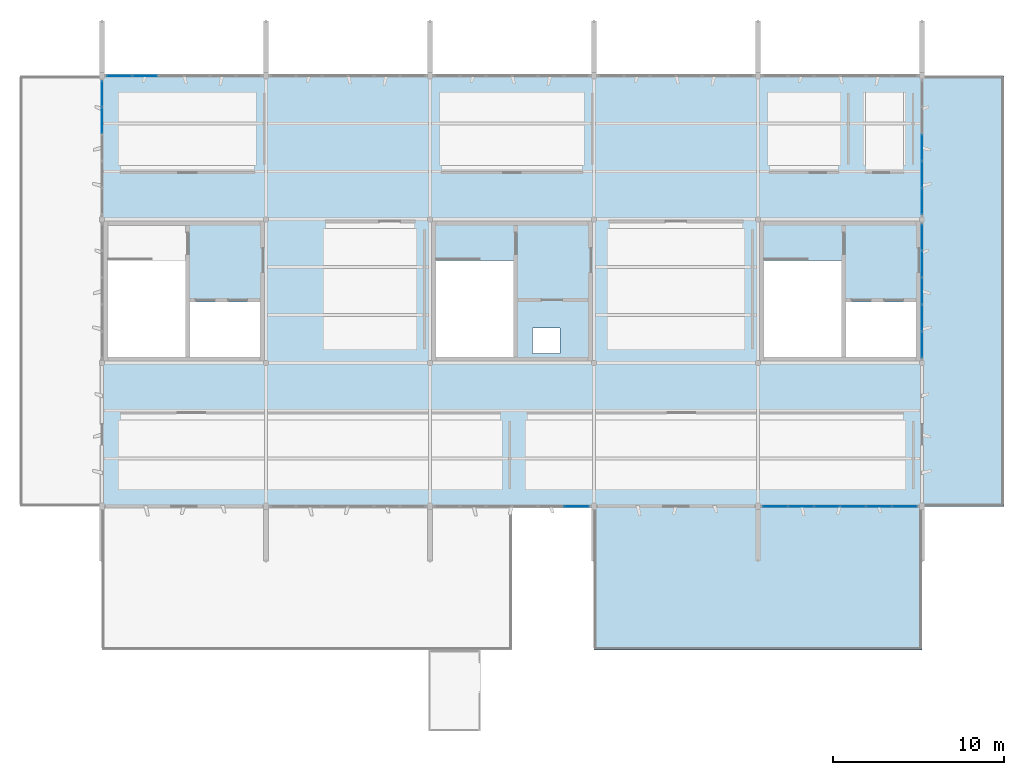
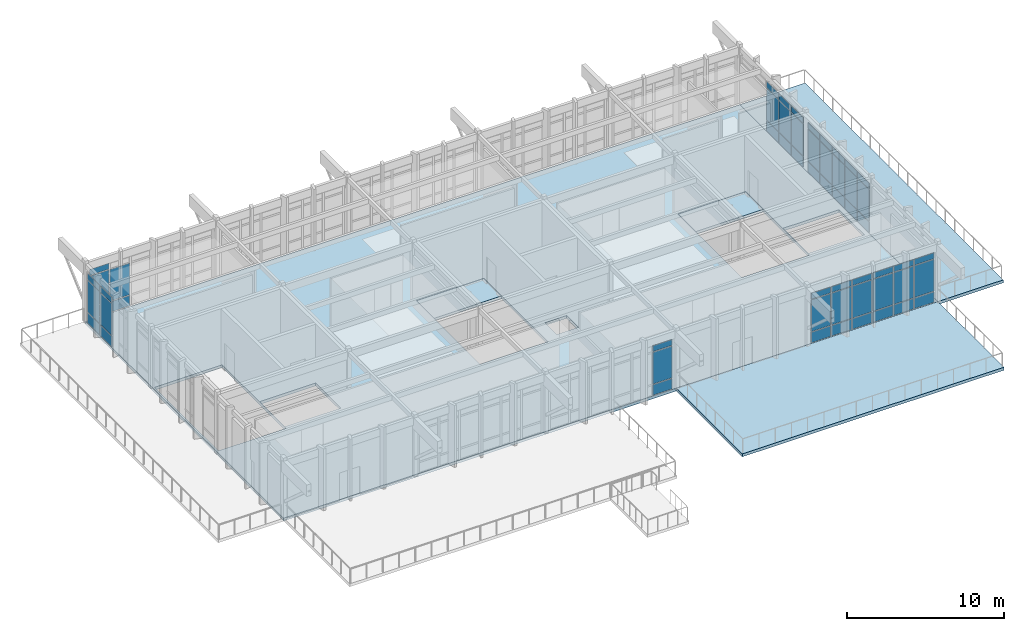
# One storey, part 13 of 19: 56 plates, 5 slabs, 6 elements without a shape of their own.
"""IFC4 building model written with IfcOpenShell, lengths in metres."""

from ifc_helpers import new_model, si_unit, direction, frame, origin, origin_2d, place, context, subcontext, project, spatial, polyline, rectangle, outline, extrude, material, layer, layer_set, type_object, element, aggregate, save


model = new_model("IFC4")

# Units and contexts
model_context = context("Model", 3, precision=1e-05, world=origin(), true_north=direction((0.0, 1.0)))
body_context = subcontext(model_context, "Body", "Model", "MODEL_VIEW")
ifc_project = project(units=[si_unit("LENGTHUNIT", "METRE"), si_unit("AREAUNIT", "SQUARE_METRE"), si_unit("VOLUMEUNIT", "CUBIC_METRE"), si_unit("PLANEANGLEUNIT", "RADIAN"), si_unit("MASSUNIT", "GRAM", prefix="KILO")], contexts=[model_context])

# Site, building, storey
site_placement = place(None, origin())
site = spatial("IfcSite", under=ifc_project, at=site_placement, CompositionType="ELEMENT")
building_placement = place(site_placement, origin())
building = spatial("IfcBuilding", under=site, at=building_placement, Name="Kolvemor Railside Polytechnic", CompositionType="ELEMENT")
storey_placement = place(building_placement, frame((0.0, 0.0, 27.0)))
storey = spatial("IfcBuildingStorey", under=building, at=storey_placement, Name="L06", CompositionType="ELEMENT", Elevation=27.0)

# Curtain wall, plates
ifc_material_1 = material(Name="Anodised marine aluminium and laminated low-E glass", Category="aluminium")
ifc_layer_1 = layer(ifc_material_1, 0.179931640625, Name="CW-STICK-LIB")
ifc_layer_set_1 = layer_set([ifc_layer_1], Name="Anodised marine aluminium and laminated low-E glass")
curtain_wall_type = type_object("IfcCurtainWallType", Name="CW-STICK-LIB", PredefinedType="USERDEFINED", material=ifc_layer_set_1)
curtain_wall_1_placement = place(storey_placement, origin())
curtain_wall_1 = element("IfcCurtainWall", 1, at=curtain_wall_1_placement, inside=storey, type_object=curtain_wall_type, Name="Curtain Wall L06-144", ObjectType="STICK GLAZED SCREEN", PredefinedType="USERDEFINED")
ifc_material_2 = material(Name="Hurricane-laminated solar-control low-E glass", Category="glass")
ifc_layer_2 = layer(ifc_material_2, 0.028076171875, Name="CWP-GLZ-04")
ifc_layer_set_2 = layer_set([ifc_layer_2], Name="Hurricane-laminated solar-control low-E glass")
plate_type_1 = type_object("IfcPlateType", Name="CWP-GLZ-04", PredefinedType="CURTAIN_PANEL", material=ifc_layer_set_2)
plate_1_placement = place(storey_placement, frame((94.983642578125, 13.199951171875, 0.06494140625), z_axis=(0.0, 0.0, 1.0), x_axis=(1.0, 0.0, 0.0)))
plate_1 = element("IfcPlate", 2, at=plate_1_placement, type_object=plate_type_1, Name="CW-LIB panel 6.1", PredefinedType="CURTAIN_PANEL", context=body_context, shape_type="SweptSolid", body=[
    extrude(rectangle(XDim=1.422607421875, YDim=0.028076171875, at=origin_2d()), origin(), (0.0, 0.0, 1.0), 0.802490234375),
])
plate_2_placement = place(storey_placement, frame((94.983642578125, 13.199951171875, 0.9326171875), z_axis=(0.0, 0.0, 1.0), x_axis=(1.0, 0.0, 0.0)))
plate_2 = element("IfcPlate", 3, at=plate_2_placement, type_object=plate_type_1, Name="CW-LIB panel 6.2", PredefinedType="CURTAIN_PANEL", context=body_context, shape_type="SweptSolid", body=[
    extrude(rectangle(XDim=1.422607421875, YDim=0.028076171875, at=origin_2d()), origin(), (0.0, 0.0, 1.0), 2.449951171875),
])
plate_3_placement = place(storey_placement, frame((94.983642578125, 13.199951171875, 3.44775390625), z_axis=(0.0, 0.0, 1.0), x_axis=(1.0, 0.0, 0.0)))
plate_3 = element("IfcPlate", 4, at=plate_3_placement, type_object=plate_type_1, Name="CW-LIB panel 6.3", PredefinedType="CURTAIN_PANEL", context=body_context, shape_type="SweptSolid", body=[
    extrude(rectangle(XDim=1.422607421875, YDim=0.028076171875, at=origin_2d()), origin(), (0.0, 0.0, 1.0), 0.452392578125),
])
aggregate(curtain_wall_1, [plate_1, plate_2, plate_3])

curtain_wall_2_placement = place(storey_placement, origin())
curtain_wall_2 = element("IfcCurtainWall", 5, at=curtain_wall_2_placement, inside=storey, type_object=curtain_wall_type, Name="Curtain Wall L06-147", ObjectType="STICK GLAZED SCREEN", PredefinedType="USERDEFINED")
ifc_material_3 = material(Name="Hurricane-laminated solar-control low-E glass", Category="glass")
ifc_layer_3 = layer(ifc_material_3, 0.031982421875, Name="CWP-GLZ-06")
ifc_layer_set_3 = layer_set([ifc_layer_3], Name="Hurricane-laminated solar-control low-E glass")
plate_type_2 = type_object("IfcPlateType", Name="CWP-GLZ-06", PredefinedType="CURTAIN_PANEL", material=ifc_layer_set_3)
plate_4_placement = place(storey_placement, frame((106.6162109375, 13.199951171875, 0.06494140625), z_axis=(0.0, 0.0, 1.0), x_axis=(1.0, 0.0, 0.0)))
plate_4 = element("IfcPlate", 6, at=plate_4_placement, type_object=plate_type_2, Name="CW-LIB panel 1.1", PredefinedType="CURTAIN_PANEL", context=body_context, shape_type="SweptSolid", body=[
    extrude(rectangle(XDim=1.422607421875, YDim=0.031982421875, at=origin_2d()), origin(), (0.0, 0.0, 1.0), 0.802490234375),
])
plate_5_placement = place(storey_placement, frame((106.6162109375, 13.199951171875, 0.9326171875), z_axis=(0.0, 0.0, 1.0), x_axis=(1.0, 0.0, 0.0)))
plate_5 = element("IfcPlate", 7, at=plate_5_placement, type_object=plate_type_2, Name="CW-LIB panel 1.2", PredefinedType="CURTAIN_PANEL", context=body_context, shape_type="SweptSolid", body=[
    extrude(rectangle(XDim=1.422607421875, YDim=0.031982421875, at=origin_2d()), origin(), (0.0, 0.0, 1.0), 2.449951171875),
])
plate_6_placement = place(storey_placement, frame((106.6162109375, 13.199951171875, 3.44775390625), z_axis=(0.0, 0.0, 1.0), x_axis=(1.0, 0.0, 0.0)))
plate_6 = element("IfcPlate", 8, at=plate_6_placement, type_object=plate_type_2, Name="CW-LIB panel 1.3", PredefinedType="CURTAIN_PANEL", context=body_context, shape_type="SweptSolid", body=[
    extrude(rectangle(XDim=1.422607421875, YDim=0.031982421875, at=origin_2d()), origin(), (0.0, 0.0, 1.0), 0.452392578125),
])
plate_7_placement = place(storey_placement, frame((108.1201171875, 13.199951171875, 0.06494140625), z_axis=(0.0, 0.0, 1.0), x_axis=(1.0, 0.0, 0.0)))
plate_7 = element("IfcPlate", 9, at=plate_7_placement, type_object=plate_type_2, Name="CW-LIB panel 2.1", PredefinedType="CURTAIN_PANEL", context=body_context, shape_type="SweptSolid", body=[
    extrude(rectangle(XDim=1.455078125, YDim=0.031982421875, at=origin_2d()), origin(), (0.0, 0.0, 1.0), 0.802490234375),
])
plate_8_placement = place(storey_placement, frame((108.1201171875, 13.199951171875, 0.9326171875), z_axis=(0.0, 0.0, 1.0), x_axis=(1.0, 0.0, 0.0)))
plate_8 = element("IfcPlate", 10, at=plate_8_placement, type_object=plate_type_2, Name="CW-LIB panel 2.2", PredefinedType="CURTAIN_PANEL", context=body_context, shape_type="SweptSolid", body=[
    extrude(rectangle(XDim=1.455078125, YDim=0.031982421875, at=origin_2d()), origin(), (0.0, 0.0, 1.0), 2.449951171875),
])
plate_9_placement = place(storey_placement, frame((108.1201171875, 13.199951171875, 3.44775390625), z_axis=(0.0, 0.0, 1.0), x_axis=(1.0, 0.0, 0.0)))
plate_9 = element("IfcPlate", 11, at=plate_9_placement, type_object=plate_type_2, Name="CW-LIB panel 2.3", PredefinedType="CURTAIN_PANEL", context=body_context, shape_type="SweptSolid", body=[
    extrude(rectangle(XDim=1.455078125, YDim=0.031982421875, at=origin_2d()), origin(), (0.0, 0.0, 1.0), 0.452392578125),
])
plate_10_placement = place(storey_placement, frame((109.639892578125, 13.199951171875, 0.06494140625), z_axis=(0.0, 0.0, 1.0), x_axis=(1.0, 0.0, 0.0)))
plate_10 = element("IfcPlate", 12, at=plate_10_placement, type_object=plate_type_2, Name="CW-LIB panel 3.1", PredefinedType="CURTAIN_PANEL", context=body_context, shape_type="SweptSolid", body=[
    extrude(rectangle(XDim=1.455078125, YDim=0.031982421875, at=origin_2d()), origin(), (0.0, 0.0, 1.0), 0.802490234375),
])
plate_11_placement = place(storey_placement, frame((109.639892578125, 13.199951171875, 0.9326171875), z_axis=(0.0, 0.0, 1.0), x_axis=(1.0, 0.0, 0.0)))
plate_11 = element("IfcPlate", 13, at=plate_11_placement, type_object=plate_type_2, Name="CW-LIB panel 3.2", PredefinedType="CURTAIN_PANEL", context=body_context, shape_type="SweptSolid", body=[
    extrude(rectangle(XDim=1.455078125, YDim=0.031982421875, at=origin_2d()), origin(), (0.0, 0.0, 1.0), 2.449951171875),
])
plate_12_placement = place(storey_placement, frame((109.639892578125, 13.199951171875, 3.44775390625), z_axis=(0.0, 0.0, 1.0), x_axis=(1.0, 0.0, 0.0)))
plate_12 = element("IfcPlate", 14, at=plate_12_placement, type_object=plate_type_2, Name="CW-LIB panel 3.3", PredefinedType="CURTAIN_PANEL", context=body_context, shape_type="SweptSolid", body=[
    extrude(rectangle(XDim=1.455078125, YDim=0.031982421875, at=origin_2d()), origin(), (0.0, 0.0, 1.0), 0.452392578125),
])
plate_13_placement = place(storey_placement, frame((111.159912109375, 13.199951171875, 0.06494140625), z_axis=(0.0, 0.0, 1.0), x_axis=(1.0, 0.0, 0.0)))
plate_13 = element("IfcPlate", 15, at=plate_13_placement, type_object=plate_type_2, Name="CW-LIB panel 4.1", PredefinedType="CURTAIN_PANEL", context=body_context, shape_type="SweptSolid", body=[
    extrude(rectangle(XDim=1.455078125, YDim=0.031982421875, at=origin_2d()), origin(), (0.0, 0.0, 1.0), 0.802490234375),
])
plate_14_placement = place(storey_placement, frame((111.159912109375, 13.199951171875, 0.9326171875), z_axis=(0.0, 0.0, 1.0), x_axis=(1.0, 0.0, 0.0)))
plate_14 = element("IfcPlate", 16, at=plate_14_placement, type_object=plate_type_2, Name="CW-LIB panel 4.2", PredefinedType="CURTAIN_PANEL", context=body_context, shape_type="SweptSolid", body=[
    extrude(rectangle(XDim=1.455078125, YDim=0.031982421875, at=origin_2d()), origin(), (0.0, 0.0, 1.0), 2.449951171875),
])
plate_15_placement = place(storey_placement, frame((111.159912109375, 13.199951171875, 3.44775390625), z_axis=(0.0, 0.0, 1.0), x_axis=(1.0, 0.0, 0.0)))
plate_15 = element("IfcPlate", 17, at=plate_15_placement, type_object=plate_type_2, Name="CW-LIB panel 4.3", PredefinedType="CURTAIN_PANEL", context=body_context, shape_type="SweptSolid", body=[
    extrude(rectangle(XDim=1.455078125, YDim=0.031982421875, at=origin_2d()), origin(), (0.0, 0.0, 1.0), 0.452392578125),
])
plate_16_placement = place(storey_placement, frame((112.679931640625, 13.199951171875, 0.06494140625), z_axis=(0.0, 0.0, 1.0), x_axis=(1.0, 0.0, 0.0)))
plate_16 = element("IfcPlate", 18, at=plate_16_placement, type_object=plate_type_2, Name="CW-LIB panel 5.1", PredefinedType="CURTAIN_PANEL", context=body_context, shape_type="SweptSolid", body=[
    extrude(rectangle(XDim=1.455078125, YDim=0.031982421875, at=origin_2d()), origin(), (0.0, 0.0, 1.0), 0.802490234375),
])
plate_17_placement = place(storey_placement, frame((112.679931640625, 13.199951171875, 0.9326171875), z_axis=(0.0, 0.0, 1.0), x_axis=(1.0, 0.0, 0.0)))
plate_17 = element("IfcPlate", 19, at=plate_17_placement, type_object=plate_type_2, Name="CW-LIB panel 5.2", PredefinedType="CURTAIN_PANEL", context=body_context, shape_type="SweptSolid", body=[
    extrude(rectangle(XDim=1.455078125, YDim=0.031982421875, at=origin_2d()), origin(), (0.0, 0.0, 1.0), 2.449951171875),
])
plate_18_placement = place(storey_placement, frame((112.679931640625, 13.199951171875, 3.44775390625), z_axis=(0.0, 0.0, 1.0), x_axis=(1.0, 0.0, 0.0)))
plate_18 = element("IfcPlate", 20, at=plate_18_placement, type_object=plate_type_2, Name="CW-LIB panel 5.3", PredefinedType="CURTAIN_PANEL", context=body_context, shape_type="SweptSolid", body=[
    extrude(rectangle(XDim=1.455078125, YDim=0.031982421875, at=origin_2d()), origin(), (0.0, 0.0, 1.0), 0.452392578125),
])
plate_19_placement = place(storey_placement, frame((114.183837890625, 13.199951171875, 0.06494140625), z_axis=(0.0, 0.0, 1.0), x_axis=(1.0, 0.0, 0.0)))
plate_19 = element("IfcPlate", 21, at=plate_19_placement, type_object=plate_type_2, Name="CW-LIB panel 6.1", PredefinedType="CURTAIN_PANEL", context=body_context, shape_type="SweptSolid", body=[
    extrude(rectangle(XDim=1.422607421875, YDim=0.031982421875, at=origin_2d()), origin(), (0.0, 0.0, 1.0), 0.802490234375),
])
plate_20_placement = place(storey_placement, frame((114.183837890625, 13.199951171875, 0.9326171875), z_axis=(0.0, 0.0, 1.0), x_axis=(1.0, 0.0, 0.0)))
plate_20 = element("IfcPlate", 22, at=plate_20_placement, type_object=plate_type_2, Name="CW-LIB panel 6.2", PredefinedType="CURTAIN_PANEL", context=body_context, shape_type="SweptSolid", body=[
    extrude(rectangle(XDim=1.422607421875, YDim=0.031982421875, at=origin_2d()), origin(), (0.0, 0.0, 1.0), 2.449951171875),
])
plate_21_placement = place(storey_placement, frame((114.183837890625, 13.199951171875, 3.44775390625), z_axis=(0.0, 0.0, 1.0), x_axis=(1.0, 0.0, 0.0)))
plate_21 = element("IfcPlate", 23, at=plate_21_placement, type_object=plate_type_2, Name="CW-LIB panel 6.3", PredefinedType="CURTAIN_PANEL", context=body_context, shape_type="SweptSolid", body=[
    extrude(rectangle(XDim=1.422607421875, YDim=0.031982421875, at=origin_2d()), origin(), (0.0, 0.0, 1.0), 0.452392578125),
])
aggregate(curtain_wall_2, [plate_4, plate_5, plate_6, plate_7, plate_8, plate_9, plate_10, plate_11, plate_12, plate_13, plate_14, plate_15, plate_16, plate_17, plate_18, plate_19, plate_20, plate_21])

curtain_wall_3_placement = place(storey_placement, origin())
curtain_wall_3 = element("IfcCurtainWall", 24, at=curtain_wall_3_placement, inside=storey, type_object=curtain_wall_type, Name="Curtain Wall L06-151", ObjectType="STICK GLAZED SCREEN", PredefinedType="USERDEFINED")
plate_22_placement = place(storey_placement, frame((67.199951171875, 37.351806640625, 0.06494140625), z_axis=(0.0, 0.0, 1.0), x_axis=(0.0, -1.0, 0.0)))
plate_22 = element("IfcPlate", 25, at=plate_22_placement, type_object=plate_type_2, Name="CW-LIB panel 1.1", PredefinedType="CURTAIN_PANEL", context=body_context, shape_type="SweptSolid", body=[
    extrude(rectangle(XDim=1.486572265625, YDim=0.031982421875, at=origin_2d()), origin(), (0.0, 0.0, 1.0), 0.802490234375),
])
plate_23_placement = place(storey_placement, frame((67.199951171875, 37.351806640625, 0.9326171875), z_axis=(0.0, 0.0, 1.0), x_axis=(0.0, -1.0, 0.0)))
plate_23 = element("IfcPlate", 26, at=plate_23_placement, type_object=plate_type_2, Name="CW-LIB panel 1.2", PredefinedType="CURTAIN_PANEL", context=body_context, shape_type="SweptSolid", body=[
    extrude(rectangle(XDim=1.486572265625, YDim=0.031982421875, at=origin_2d()), origin(), (0.0, 0.0, 1.0), 2.449951171875),
])
plate_24_placement = place(storey_placement, frame((67.199951171875, 37.351806640625, 3.44775390625), z_axis=(0.0, 0.0, 1.0), x_axis=(0.0, -1.0, 0.0)))
plate_24 = element("IfcPlate", 27, at=plate_24_placement, type_object=plate_type_2, Name="CW-LIB panel 1.3", PredefinedType="CURTAIN_PANEL", context=body_context, shape_type="SweptSolid", body=[
    extrude(rectangle(XDim=1.486572265625, YDim=0.031982421875, at=origin_2d()), origin(), (0.0, 0.0, 1.0), 0.452392578125),
])
plate_25_placement = place(storey_placement, frame((67.199951171875, 35.783935546875, 0.06494140625), z_axis=(0.0, 0.0, 1.0), x_axis=(0.0, -1.0, 0.0)))
plate_25 = element("IfcPlate", 28, at=plate_25_placement, type_object=plate_type_2, Name="CW-LIB panel 2.1", PredefinedType="CURTAIN_PANEL", context=body_context, shape_type="SweptSolid", body=[
    extrude(rectangle(XDim=1.51904296875, YDim=0.031982421875, at=origin_2d()), origin(), (0.0, 0.0, 1.0), 0.802490234375),
])
plate_26_placement = place(storey_placement, frame((67.199951171875, 35.783935546875, 0.9326171875), z_axis=(0.0, 0.0, 1.0), x_axis=(0.0, -1.0, 0.0)))
plate_26 = element("IfcPlate", 29, at=plate_26_placement, type_object=plate_type_2, Name="CW-LIB panel 2.2", PredefinedType="CURTAIN_PANEL", context=body_context, shape_type="SweptSolid", body=[
    extrude(rectangle(XDim=1.51904296875, YDim=0.031982421875, at=origin_2d()), origin(), (0.0, 0.0, 1.0), 2.449951171875),
])
plate_27_placement = place(storey_placement, frame((67.199951171875, 35.783935546875, 3.44775390625), z_axis=(0.0, 0.0, 1.0), x_axis=(0.0, -1.0, 0.0)))
plate_27 = element("IfcPlate", 30, at=plate_27_placement, type_object=plate_type_2, Name="CW-LIB panel 2.3", PredefinedType="CURTAIN_PANEL", context=body_context, shape_type="SweptSolid", body=[
    extrude(rectangle(XDim=1.51904296875, YDim=0.031982421875, at=origin_2d()), origin(), (0.0, 0.0, 1.0), 0.452392578125),
])
aggregate(curtain_wall_3, [plate_22, plate_23, plate_24, plate_25, plate_26, plate_27])

curtain_wall_4_placement = place(storey_placement, origin())
curtain_wall_4 = element("IfcCurtainWall", 31, at=curtain_wall_4_placement, inside=storey, type_object=curtain_wall_type, Name="Curtain Wall L06-141", ObjectType="STICK GLAZED SCREEN", PredefinedType="USERDEFINED")
ifc_material_4 = material(Name="Hurricane-laminated solar-control low-E glass", Category="glass")
ifc_layer_4 = layer(ifc_material_4, 0.033935546875, Name="CWP-GLZ-07")
ifc_layer_set_4 = layer_set([ifc_layer_4], Name="Hurricane-laminated solar-control low-E glass")
plate_type_3 = type_object("IfcPlateType", Name="CWP-GLZ-07", PredefinedType="CURTAIN_PANEL", material=ifc_layer_set_4)
plate_28_placement = place(storey_placement, frame((69.719970703125, 38.39990234375, 0.06494140625), z_axis=(0.0, 0.0, 1.0), x_axis=(-1.0, 0.0, 0.0)))
plate_28 = element("IfcPlate", 32, at=plate_28_placement, type_object=plate_type_3, Name="CW-LIB panel 5.1", PredefinedType="CURTAIN_PANEL", context=body_context, shape_type="SweptSolid", body=[
    extrude(rectangle(XDim=1.455078125, YDim=0.033935546875, at=origin_2d()), origin(), (0.0, 0.0, 1.0), 0.802490234375),
])
plate_29_placement = place(storey_placement, frame((69.719970703125, 38.39990234375, 0.9326171875), z_axis=(0.0, 0.0, 1.0), x_axis=(-1.0, 0.0, 0.0)))
plate_29 = element("IfcPlate", 33, at=plate_29_placement, type_object=plate_type_3, Name="CW-LIB panel 5.2", PredefinedType="CURTAIN_PANEL", context=body_context, shape_type="SweptSolid", body=[
    extrude(rectangle(XDim=1.455078125, YDim=0.033935546875, at=origin_2d()), origin(), (0.0, 0.0, 1.0), 2.449951171875),
])
plate_30_placement = place(storey_placement, frame((68.21630859375, 38.39990234375, 0.06494140625), z_axis=(0.0, 0.0, 1.0), x_axis=(-1.0, 0.0, 0.0)))
plate_30 = element("IfcPlate", 34, at=plate_30_placement, type_object=plate_type_3, Name="CW-LIB panel 6.1", PredefinedType="CURTAIN_PANEL", context=body_context, shape_type="SweptSolid", body=[
    extrude(rectangle(XDim=1.422607421875, YDim=0.033935546875, at=origin_2d()), origin(), (0.0, 0.0, 1.0), 0.802490234375),
])
plate_31_placement = place(storey_placement, frame((68.21630859375, 38.39990234375, 0.9326171875), z_axis=(0.0, 0.0, 1.0), x_axis=(-1.0, 0.0, 0.0)))
plate_31 = element("IfcPlate", 35, at=plate_31_placement, type_object=plate_type_3, Name="CW-LIB panel 6.2", PredefinedType="CURTAIN_PANEL", context=body_context, shape_type="SweptSolid", body=[
    extrude(rectangle(XDim=1.422607421875, YDim=0.033935546875, at=origin_2d()), origin(), (0.0, 0.0, 1.0), 2.449951171875),
])
plate_32_placement = place(storey_placement, frame((68.21630859375, 38.39990234375, 3.44775390625), z_axis=(0.0, 0.0, 1.0), x_axis=(-1.0, 0.0, 0.0)))
plate_32 = element("IfcPlate", 36, at=plate_32_placement, type_object=plate_type_3, Name="CW-LIB panel 6.3", PredefinedType="CURTAIN_PANEL", context=body_context, shape_type="SweptSolid", body=[
    extrude(rectangle(XDim=1.422607421875, YDim=0.033935546875, at=origin_2d()), origin(), (0.0, 0.0, 1.0), 0.452392578125),
])
aggregate(curtain_wall_4, [plate_28, plate_29, plate_30, plate_31, plate_32])

curtain_wall_5_placement = place(storey_placement, origin())
curtain_wall_5 = element("IfcCurtainWall", 37, at=curtain_wall_5_placement, inside=storey, type_object=curtain_wall_type, Name="Curtain Wall L06-150", ObjectType="STICK GLAZED SCREEN", PredefinedType="USERDEFINED")
plate_33_placement = place(storey_placement, frame((115.199951171875, 22.648193359375, 0.06494140625), z_axis=(0.0, 0.0, 1.0), x_axis=(0.0, 1.0, 0.0)))
plate_33 = element("IfcPlate", 38, at=plate_33_placement, type_object=plate_type_3, Name="CW-LIB panel 1.1", PredefinedType="CURTAIN_PANEL", context=body_context, shape_type="SweptSolid", body=[
    extrude(rectangle(XDim=1.486572265625, YDim=0.033935546875, at=origin_2d()), origin(), (0.0, 0.0, 1.0), 0.802490234375),
])
plate_34_placement = place(storey_placement, frame((115.199951171875, 22.648193359375, 0.9326171875), z_axis=(0.0, 0.0, 1.0), x_axis=(0.0, 1.0, 0.0)))
plate_34 = element("IfcPlate", 39, at=plate_34_placement, type_object=plate_type_3, Name="CW-LIB panel 1.2", PredefinedType="CURTAIN_PANEL", context=body_context, shape_type="SweptSolid", body=[
    extrude(rectangle(XDim=1.486572265625, YDim=0.033935546875, at=origin_2d()), origin(), (0.0, 0.0, 1.0), 2.449951171875),
])
plate_35_placement = place(storey_placement, frame((115.199951171875, 22.648193359375, 3.44775390625), z_axis=(0.0, 0.0, 1.0), x_axis=(0.0, 1.0, 0.0)))
plate_35 = element("IfcPlate", 40, at=plate_35_placement, type_object=plate_type_3, Name="CW-LIB panel 1.3", PredefinedType="CURTAIN_PANEL", context=body_context, shape_type="SweptSolid", body=[
    extrude(rectangle(XDim=1.486572265625, YDim=0.033935546875, at=origin_2d()), origin(), (0.0, 0.0, 1.0), 0.452392578125),
])
plate_36_placement = place(storey_placement, frame((115.199951171875, 24.216064453125, 0.06494140625), z_axis=(0.0, 0.0, 1.0), x_axis=(0.0, 1.0, 0.0)))
plate_36 = element("IfcPlate", 41, at=plate_36_placement, type_object=plate_type_3, Name="CW-LIB panel 2.1", PredefinedType="CURTAIN_PANEL", context=body_context, shape_type="SweptSolid", body=[
    extrude(rectangle(XDim=1.51904296875, YDim=0.033935546875, at=origin_2d()), origin(), (0.0, 0.0, 1.0), 0.802490234375),
])
plate_37_placement = place(storey_placement, frame((115.199951171875, 24.216064453125, 0.9326171875), z_axis=(0.0, 0.0, 1.0), x_axis=(0.0, 1.0, 0.0)))
plate_37 = element("IfcPlate", 42, at=plate_37_placement, type_object=plate_type_3, Name="CW-LIB panel 2.2", PredefinedType="CURTAIN_PANEL", context=body_context, shape_type="SweptSolid", body=[
    extrude(rectangle(XDim=1.51904296875, YDim=0.033935546875, at=origin_2d()), origin(), (0.0, 0.0, 1.0), 2.449951171875),
])
plate_38_placement = place(storey_placement, frame((115.199951171875, 24.216064453125, 3.44775390625), z_axis=(0.0, 0.0, 1.0), x_axis=(0.0, 1.0, 0.0)))
plate_38 = element("IfcPlate", 43, at=plate_38_placement, type_object=plate_type_3, Name="CW-LIB panel 2.3", PredefinedType="CURTAIN_PANEL", context=body_context, shape_type="SweptSolid", body=[
    extrude(rectangle(XDim=1.51904296875, YDim=0.033935546875, at=origin_2d()), origin(), (0.0, 0.0, 1.0), 0.452392578125),
])
plate_39_placement = place(storey_placement, frame((115.199951171875, 25.800048828125, 0.06494140625), z_axis=(0.0, 0.0, 1.0), x_axis=(0.0, 1.0, 0.0)))
plate_39 = element("IfcPlate", 44, at=plate_39_placement, type_object=plate_type_3, Name="CW-LIB panel 3.1", PredefinedType="CURTAIN_PANEL", context=body_context, shape_type="SweptSolid", body=[
    extrude(rectangle(XDim=1.51904296875, YDim=0.033935546875, at=origin_2d()), origin(), (0.0, 0.0, 1.0), 0.802490234375),
])
plate_40_placement = place(storey_placement, frame((115.199951171875, 25.800048828125, 0.9326171875), z_axis=(0.0, 0.0, 1.0), x_axis=(0.0, 1.0, 0.0)))
plate_40 = element("IfcPlate", 45, at=plate_40_placement, type_object=plate_type_3, Name="CW-LIB panel 3.2", PredefinedType="CURTAIN_PANEL", context=body_context, shape_type="SweptSolid", body=[
    extrude(rectangle(XDim=1.51904296875, YDim=0.033935546875, at=origin_2d()), origin(), (0.0, 0.0, 1.0), 2.449951171875),
])
plate_41_placement = place(storey_placement, frame((115.199951171875, 25.800048828125, 3.44775390625), z_axis=(0.0, 0.0, 1.0), x_axis=(0.0, 1.0, 0.0)))
plate_41 = element("IfcPlate", 46, at=plate_41_placement, type_object=plate_type_3, Name="CW-LIB panel 3.3", PredefinedType="CURTAIN_PANEL", context=body_context, shape_type="SweptSolid", body=[
    extrude(rectangle(XDim=1.51904296875, YDim=0.033935546875, at=origin_2d()), origin(), (0.0, 0.0, 1.0), 0.452392578125),
])
plate_42_placement = place(storey_placement, frame((115.199951171875, 27.384033203125, 0.06494140625), z_axis=(0.0, 0.0, 1.0), x_axis=(0.0, 1.0, 0.0)))
plate_42 = element("IfcPlate", 47, at=plate_42_placement, type_object=plate_type_3, Name="CW-LIB panel 4.1", PredefinedType="CURTAIN_PANEL", context=body_context, shape_type="SweptSolid", body=[
    extrude(rectangle(XDim=1.51904296875, YDim=0.033935546875, at=origin_2d()), origin(), (0.0, 0.0, 1.0), 0.802490234375),
])
plate_43_placement = place(storey_placement, frame((115.199951171875, 27.384033203125, 0.9326171875), z_axis=(0.0, 0.0, 1.0), x_axis=(0.0, 1.0, 0.0)))
plate_43 = element("IfcPlate", 48, at=plate_43_placement, type_object=plate_type_3, Name="CW-LIB panel 4.2", PredefinedType="CURTAIN_PANEL", context=body_context, shape_type="SweptSolid", body=[
    extrude(rectangle(XDim=1.51904296875, YDim=0.033935546875, at=origin_2d()), origin(), (0.0, 0.0, 1.0), 2.449951171875),
])
plate_44_placement = place(storey_placement, frame((115.199951171875, 27.384033203125, 3.44775390625), z_axis=(0.0, 0.0, 1.0), x_axis=(0.0, 1.0, 0.0)))
plate_44 = element("IfcPlate", 49, at=plate_44_placement, type_object=plate_type_3, Name="CW-LIB panel 4.3", PredefinedType="CURTAIN_PANEL", context=body_context, shape_type="SweptSolid", body=[
    extrude(rectangle(XDim=1.51904296875, YDim=0.033935546875, at=origin_2d()), origin(), (0.0, 0.0, 1.0), 0.452392578125),
])
plate_45_placement = place(storey_placement, frame((115.199951171875, 28.95166015625, 0.06494140625), z_axis=(0.0, 0.0, 1.0), x_axis=(0.0, 1.0, 0.0)))
plate_45 = element("IfcPlate", 50, at=plate_45_placement, type_object=plate_type_3, Name="CW-LIB panel 5.1", PredefinedType="CURTAIN_PANEL", context=body_context, shape_type="SweptSolid", body=[
    extrude(rectangle(XDim=1.486572265625, YDim=0.033935546875, at=origin_2d()), origin(), (0.0, 0.0, 1.0), 0.802490234375),
])
plate_46_placement = place(storey_placement, frame((115.199951171875, 28.95166015625, 0.9326171875), z_axis=(0.0, 0.0, 1.0), x_axis=(0.0, 1.0, 0.0)))
plate_46 = element("IfcPlate", 51, at=plate_46_placement, type_object=plate_type_3, Name="CW-LIB panel 5.2", PredefinedType="CURTAIN_PANEL", context=body_context, shape_type="SweptSolid", body=[
    extrude(rectangle(XDim=1.486572265625, YDim=0.033935546875, at=origin_2d()), origin(), (0.0, 0.0, 1.0), 2.449951171875),
])
plate_47_placement = place(storey_placement, frame((115.199951171875, 28.95166015625, 3.44775390625), z_axis=(0.0, 0.0, 1.0), x_axis=(0.0, 1.0, 0.0)))
plate_47 = element("IfcPlate", 52, at=plate_47_placement, type_object=plate_type_3, Name="CW-LIB panel 5.3", PredefinedType="CURTAIN_PANEL", context=body_context, shape_type="SweptSolid", body=[
    extrude(rectangle(XDim=1.486572265625, YDim=0.033935546875, at=origin_2d()), origin(), (0.0, 0.0, 1.0), 0.452392578125),
])
aggregate(curtain_wall_5, [plate_33, plate_34, plate_35, plate_36, plate_37, plate_38, plate_39, plate_40, plate_41, plate_42, plate_43, plate_44, plate_45, plate_46, plate_47])

curtain_wall_6_placement = place(storey_placement, origin())
curtain_wall_6 = element("IfcCurtainWall", 53, at=curtain_wall_6_placement, inside=storey, type_object=curtain_wall_type, Name="Curtain Wall L06-152", ObjectType="STICK GLAZED SCREEN", PredefinedType="USERDEFINED")
ifc_material_5 = material(Name="Hurricane-laminated solar-control low-E glass", Category="glass")
ifc_layer_5 = layer(ifc_material_5, 0.035888671875, Name="CWP-GLZ-08")
ifc_layer_set_5 = layer_set([ifc_layer_5], Name="Hurricane-laminated solar-control low-E glass")
plate_type_4 = type_object("IfcPlateType", Name="CWP-GLZ-08", PredefinedType="CURTAIN_PANEL", material=ifc_layer_set_5)
plate_48_placement = place(storey_placement, frame((115.199951171875, 31.04833984375, 0.06494140625), z_axis=(0.0, 0.0, 1.0), x_axis=(0.0, 1.0, 0.0)))
plate_48 = element("IfcPlate", 54, at=plate_48_placement, type_object=plate_type_4, Name="CW-LIB panel 1.1", PredefinedType="CURTAIN_PANEL", context=body_context, shape_type="SweptSolid", body=[
    extrude(rectangle(XDim=1.486572265625, YDim=0.035888671875, at=origin_2d()), origin(), (0.0, 0.0, 1.0), 0.802490234375),
])
plate_49_placement = place(storey_placement, frame((115.199951171875, 31.04833984375, 0.9326171875), z_axis=(0.0, 0.0, 1.0), x_axis=(0.0, 1.0, 0.0)))
plate_49 = element("IfcPlate", 55, at=plate_49_placement, type_object=plate_type_4, Name="CW-LIB panel 1.2", PredefinedType="CURTAIN_PANEL", context=body_context, shape_type="SweptSolid", body=[
    extrude(rectangle(XDim=1.486572265625, YDim=0.035888671875, at=origin_2d()), origin(), (0.0, 0.0, 1.0), 2.449951171875),
])
plate_50_placement = place(storey_placement, frame((115.199951171875, 31.04833984375, 3.44775390625), z_axis=(0.0, 0.0, 1.0), x_axis=(0.0, 1.0, 0.0)))
plate_50 = element("IfcPlate", 56, at=plate_50_placement, type_object=plate_type_4, Name="CW-LIB panel 1.3", PredefinedType="CURTAIN_PANEL", context=body_context, shape_type="SweptSolid", body=[
    extrude(rectangle(XDim=1.486572265625, YDim=0.035888671875, at=origin_2d()), origin(), (0.0, 0.0, 1.0), 0.452392578125),
])
plate_51_placement = place(storey_placement, frame((115.199951171875, 32.615966796875, 0.06494140625), z_axis=(0.0, 0.0, 1.0), x_axis=(0.0, 1.0, 0.0)))
plate_51 = element("IfcPlate", 57, at=plate_51_placement, type_object=plate_type_4, Name="CW-LIB panel 2.1", PredefinedType="CURTAIN_PANEL", context=body_context, shape_type="SweptSolid", body=[
    extrude(rectangle(XDim=1.51904296875, YDim=0.035888671875, at=origin_2d()), origin(), (0.0, 0.0, 1.0), 0.802490234375),
])
plate_52_placement = place(storey_placement, frame((115.199951171875, 32.615966796875, 0.9326171875), z_axis=(0.0, 0.0, 1.0), x_axis=(0.0, 1.0, 0.0)))
plate_52 = element("IfcPlate", 58, at=plate_52_placement, type_object=plate_type_4, Name="CW-LIB panel 2.2", PredefinedType="CURTAIN_PANEL", context=body_context, shape_type="SweptSolid", body=[
    extrude(rectangle(XDim=1.51904296875, YDim=0.035888671875, at=origin_2d()), origin(), (0.0, 0.0, 1.0), 2.449951171875),
])
plate_53_placement = place(storey_placement, frame((115.199951171875, 32.615966796875, 3.44775390625), z_axis=(0.0, 0.0, 1.0), x_axis=(0.0, 1.0, 0.0)))
plate_53 = element("IfcPlate", 59, at=plate_53_placement, type_object=plate_type_4, Name="CW-LIB panel 2.3", PredefinedType="CURTAIN_PANEL", context=body_context, shape_type="SweptSolid", body=[
    extrude(rectangle(XDim=1.51904296875, YDim=0.035888671875, at=origin_2d()), origin(), (0.0, 0.0, 1.0), 0.452392578125),
])
plate_54_placement = place(storey_placement, frame((115.199951171875, 34.199951171875, 0.06494140625), z_axis=(0.0, 0.0, 1.0), x_axis=(0.0, 1.0, 0.0)))
plate_54 = element("IfcPlate", 60, at=plate_54_placement, type_object=plate_type_4, Name="CW-LIB panel 3.1", PredefinedType="CURTAIN_PANEL", context=body_context, shape_type="SweptSolid", body=[
    extrude(rectangle(XDim=1.51904296875, YDim=0.035888671875, at=origin_2d()), origin(), (0.0, 0.0, 1.0), 0.802490234375),
])
plate_55_placement = place(storey_placement, frame((115.199951171875, 34.199951171875, 0.9326171875), z_axis=(0.0, 0.0, 1.0), x_axis=(0.0, 1.0, 0.0)))
plate_55 = element("IfcPlate", 61, at=plate_55_placement, type_object=plate_type_4, Name="CW-LIB panel 3.2", PredefinedType="CURTAIN_PANEL", context=body_context, shape_type="SweptSolid", body=[
    extrude(rectangle(XDim=1.51904296875, YDim=0.035888671875, at=origin_2d()), origin(), (0.0, 0.0, 1.0), 2.449951171875),
])
plate_56_placement = place(storey_placement, frame((115.199951171875, 34.199951171875, 3.44775390625), z_axis=(0.0, 0.0, 1.0), x_axis=(0.0, 1.0, 0.0)))
plate_56 = element("IfcPlate", 62, at=plate_56_placement, type_object=plate_type_4, Name="CW-LIB panel 3.3", PredefinedType="CURTAIN_PANEL", context=body_context, shape_type="SweptSolid", body=[
    extrude(rectangle(XDim=1.51904296875, YDim=0.035888671875, at=origin_2d()), origin(), (0.0, 0.0, 1.0), 0.452392578125),
])
aggregate(curtain_wall_6, [plate_48, plate_49, plate_50, plate_51, plate_52, plate_53, plate_54, plate_55, plate_56])

# Slabs
ifc_material_6 = material(Name="Cross-laminated timber CLT E1", Category="wood")
ifc_layer_6 = layer(ifc_material_6, 0.219970703125, Name="SLB-CLT-220")
ifc_layer_set_6 = layer_set([ifc_layer_6], Name="Cross-laminated timber CLT E1")
slab_type_1 = type_object("IfcSlabType", Name="SLB-CLT-220", PredefinedType="FLOOR", material=ifc_layer_set_6)
slab_1_placement = place(storey_placement, frame((0.0, 0.0, -0.219970703125)))
element("IfcSlab", 63, at=slab_1_placement, inside=storey, type_object=slab_type_1, Name="V2 Shifted Band L06 CLT Slab L06-86", PredefinedType="FLOOR", context=body_context, shape_type="SweptSolid", body=[
    extrude(outline(polyline([(67.199951171875, 13.199951171875), (115.199951171875, 13.199951171875), (115.199951171875, 38.39990234375), (67.199951171875, 38.39990234375), (67.199951171875, 13.199951171875)]), holes=[polyline([(67.340087890625, 21.739990234375), (72.31005859375, 21.739990234375), (72.31005859375, 29.860107421875), (67.340087890625, 29.860107421875), (67.340087890625, 21.739990234375)]), polyline([(72.35009765625, 21.949951171875), (76.449951171875, 21.949951171875), (76.449951171875, 25.14990234375), (72.35009765625, 25.14990234375), (72.35009765625, 21.949951171875)]), polyline([(105.739990234375, 21.739990234375), (110.7099609375, 21.739990234375), (110.7099609375, 29.860107421875), (105.739990234375, 29.860107421875), (105.739990234375, 21.739990234375)]), polyline([(110.75, 21.949951171875), (114.85009765625, 21.949951171875), (114.85009765625, 25.14990234375), (110.75, 25.14990234375), (110.75, 21.949951171875)]), polyline([(86.5400390625, 21.739990234375), (91.510009765625, 21.739990234375), (91.510009765625, 29.860107421875), (86.5400390625, 29.860107421875), (86.5400390625, 21.739990234375)]), polyline([(92.39990234375, 22.14990234375), (94.0, 22.14990234375), (94.0, 23.64990234375), (92.39990234375, 23.64990234375), (92.39990234375, 22.14990234375)])]), origin(), (0.0, 0.0, 1.0), 0.219970703125),
])
ifc_material_7 = material(Name="Concrete C40/50", Category="concrete")
ifc_layer_7 = layer(ifc_material_7, 0.199951171875, Name="SLB-LND-200")
ifc_layer_set_7 = layer_set([ifc_layer_7], Name="Concrete C40/50")
slab_type_2 = type_object("IfcSlabType", Name="SLB-LND-200", PredefinedType="LANDING", material=ifc_layer_set_7)
slab_2_placement = place(storey_placement, frame((0.0, 0.0, -0.199951171875)))
element("IfcSlab", 64, at=slab_2_placement, inside=storey, type_object=slab_type_2, Name="ST-2 Floor Landing L06", PredefinedType="LANDING", context=body_context, shape_type="SweptSolid", body=[
    extrude(outline(polyline([(105.760009765625, 27.60009765625), (110.68994140625, 27.60009765625), (110.68994140625, 29.840087890625), (105.760009765625, 29.840087890625), (105.760009765625, 27.60009765625)])), origin(), (0.0, 0.0, 1.0), 0.199951171875),
])
slab_3_placement = place(storey_placement, frame((0.0, 0.0, -0.199951171875)))
element("IfcSlab", 65, at=slab_3_placement, inside=storey, type_object=slab_type_2, Name="ST-3 Floor Landing L06", PredefinedType="LANDING", context=body_context, shape_type="SweptSolid", body=[
    extrude(outline(polyline([(86.56005859375, 27.60009765625), (91.489990234375, 27.60009765625), (91.489990234375, 29.840087890625), (86.56005859375, 29.840087890625), (86.56005859375, 27.60009765625)])), origin(), (0.0, 0.0, 1.0), 0.199951171875),
])
ifc_material_8 = material(Name="Cross-laminated timber CLT E1", Category="wood")
ifc_layer_8 = layer(ifc_material_8, 0.22998046875, Name="SLB-TER-230")
ifc_layer_set_8 = layer_set([ifc_layer_8], Name="Cross-laminated timber CLT E1")
slab_type_3 = type_object("IfcSlabType", Name="SLB-TER-230", PredefinedType="FLOOR", material=ifc_layer_set_8)
slab_4_placement = place(storey_placement, frame((0.0, 0.0, -0.22998046875)))
element("IfcSlab", 66, at=slab_4_placement, inside=storey, type_object=slab_type_3, Name="Corner Study Terrace L06-SE L06-104", PredefinedType="FLOOR", context=body_context, shape_type="SweptSolid", body=[
    extrude(outline(polyline([(96.0, 4.800048828125), (115.199951171875, 4.800048828125), (115.199951171875, 13.199951171875), (96.0, 13.199951171875), (96.0, 4.800048828125)])), origin(), (0.0, 0.0, 1.0), 0.22998046875),
])
slab_5_placement = place(storey_placement, frame((0.0, 0.0, -0.22998046875)))
element("IfcSlab", 67, at=slab_5_placement, inside=storey, type_object=slab_type_3, Name="Corner Study Terrace L06-E L06-106", PredefinedType="FLOOR", context=body_context, shape_type="SweptSolid", body=[
    extrude(outline(polyline([(115.199951171875, 13.199951171875), (120.0, 13.199951171875), (120.0, 38.39990234375), (115.199951171875, 38.39990234375), (115.199951171875, 13.199951171875)])), origin(), (0.0, 0.0, 1.0), 0.22998046875),
])

save(model, "model.ifc")
